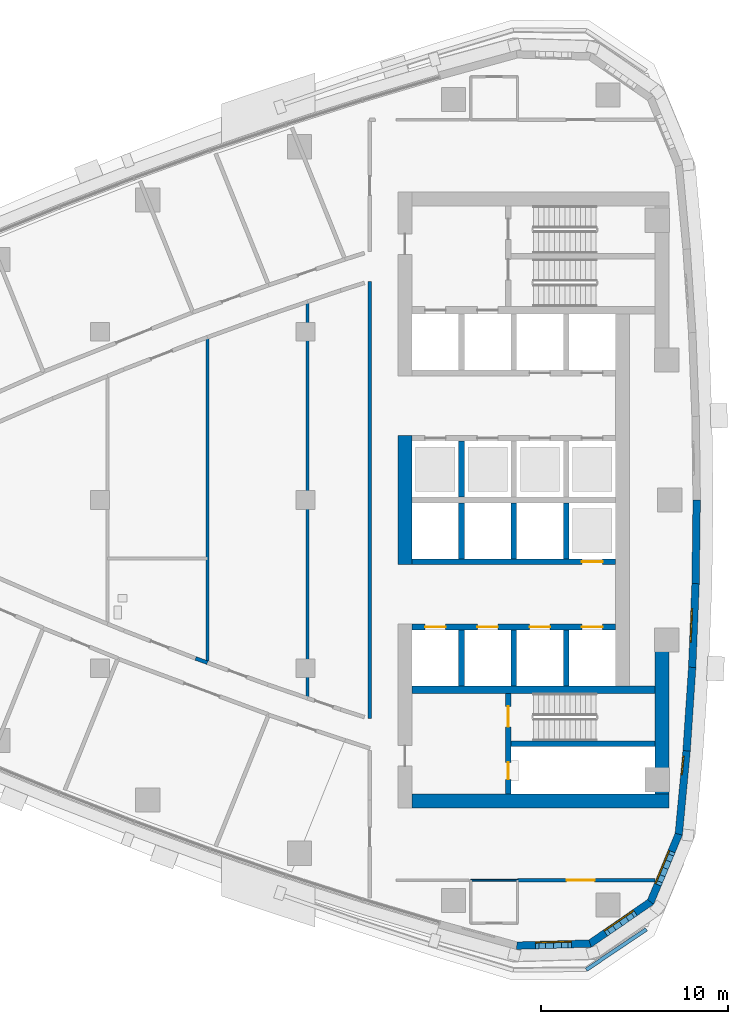
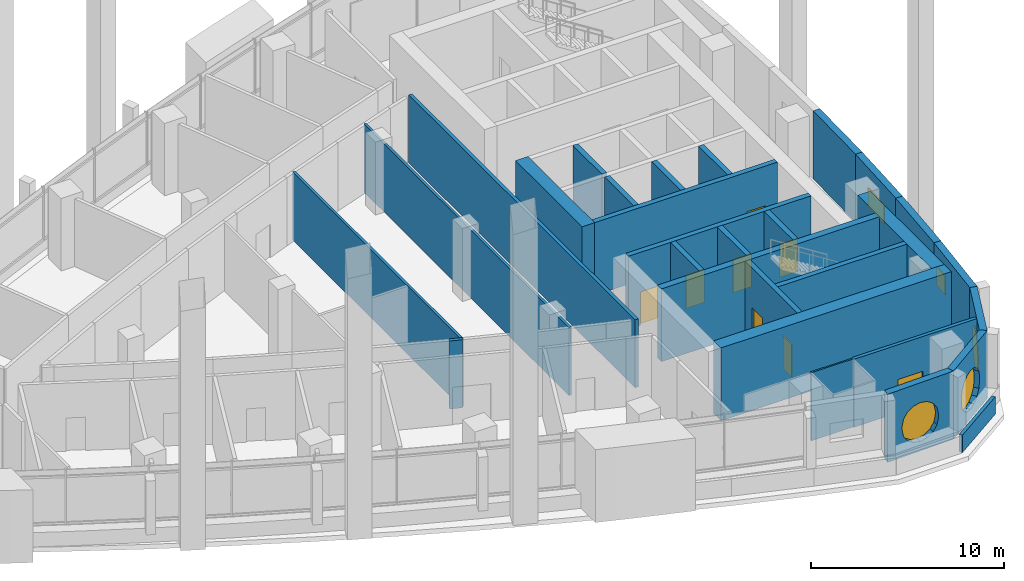
# One storey, part 9 of 19: 29 walls, 8 doors, 5 windows, 13 openings.
"""IFC4 building model written with IfcOpenShell, lengths in metres."""

import ifcopenshell
import ifcopenshell.guid

model = None  # the IFC model being written
_history = None  # IfcOwnerHistory: only IFC2X3 demands one
_inside = {}  # id of a spatial element -> (the spatial element, [elements in it])
_under = {}  # id of a project, library or spatial element -> (it, [spatial elements below it])
_declared = {}  # id of a project -> (the project, [libraries it declares])
_typed = {}  # id of a type object -> (the type object, [elements of that type])
_made_of = {}  # id of a material, layer set ... -> (it, [elements and type objects made of it])


def new_model(schema):
    """Start an empty IFC model of exactly this schema.

    Asked for "IFC4X3", IfcOpenShell would pick the latest addendum, in which some entities
    have other attributes; the version numbers below select the first issue.
    IFC2X3 requires an IfcOwnerHistory on every rooted entity: one is made here for all.
    """
    global model, _history
    if schema == "IFC4X3":
        model = ifcopenshell.file(schema_version=(4, 3, 0, 0))
    else:
        model = ifcopenshell.file(schema=schema)
    _inside.clear()
    _under.clear()
    _declared.clear()
    _typed.clear()
    _made_of.clear()
    _history = None
    if model.schema == "IFC2X3":
        org = make("IfcOrganization", Name="unknown")
        user = make(
            "IfcPersonAndOrganization",
            ThePerson=make("IfcPerson", FamilyName="unknown"),
            TheOrganization=org,
        )
        app = make(
            "IfcApplication",
            ApplicationDeveloper=org,
            Version="unknown",
            ApplicationFullName="unknown",
            ApplicationIdentifier="unknown",
        )
        _history = make(
            "IfcOwnerHistory",
            OwningUser=user,
            OwningApplication=app,
            ChangeAction="ADDED",
            CreationDate=0,
        )
    return model


def make(cls, **values):
    """One entity of the class cls with the attributes given. An attribute that is None is left unset."""
    return model.create_entity(
        cls, **{name: value for name, value in values.items() if value is not None}
    )


def rooted(cls, **values):
    """An entity with a GlobalId (a new one), such as an element, a storey or a relation."""
    return make(cls, GlobalId=ifcopenshell.guid.new(), OwnerHistory=_history, **values)


def si_unit(unit_type, name, prefix=None):
    """IfcSIUnit, for example si_unit("LENGTHUNIT", "METRE", prefix="MILLI")."""
    return make("IfcSIUnit", UnitType=unit_type, Prefix=prefix, Name=name)


def assignment(units):
    """IfcUnitAssignment: the units of a project."""
    return None if units is None else make("IfcUnitAssignment", Units=units)


def point(xyz):
    """IfcCartesianPoint."""
    return None if xyz is None else make("IfcCartesianPoint", Coordinates=xyz)


def direction(xyz):
    """IfcDirection."""
    return None if xyz is None else make("IfcDirection", DirectionRatios=xyz)


def frame(location, z_axis=None, x_axis=None):
    """IfcAxis2Placement3D, a coordinate frame: its origin and axes. An axis left out is left unset."""
    return make(
        "IfcAxis2Placement3D",
        Location=point(location),
        Axis=direction(z_axis),
        RefDirection=direction(x_axis),
    )


def frame_2d(location, x_axis=None):
    """IfcAxis2Placement2D, a coordinate frame in the plane: its origin and x axis."""
    return make(
        "IfcAxis2Placement2D", Location=point(location), RefDirection=direction(x_axis)
    )


def origin():
    """The frame at (0, 0, 0) with its axes left unset."""
    return frame((0.0, 0.0, 0.0))


def place(relative_to, where):
    """IfcLocalPlacement: puts the frame where relative to a parent placement (None: the world)."""
    return make(
        "IfcLocalPlacement", PlacementRelTo=relative_to, RelativePlacement=where
    )


def context(
    kind, dimensions, precision=None, world=None, true_north=None, identifier=None
):
    """IfcGeometricRepresentationContext, for example the 3D "Model" context."""
    return make(
        "IfcGeometricRepresentationContext",
        ContextIdentifier=identifier,
        ContextType=kind,
        CoordinateSpaceDimension=dimensions,
        Precision=precision,
        WorldCoordinateSystem=world,
        TrueNorth=true_north,
    )


def subcontext(parent, identifier, kind, view, scale=None):
    """IfcGeometricRepresentationSubContext, for example "Body" below "Model"."""
    return make(
        "IfcGeometricRepresentationSubContext",
        ContextIdentifier=identifier,
        ContextType=kind,
        ParentContext=parent,
        TargetScale=scale,
        TargetView=view,
    )


def project(units=None, contexts=None):
    """IfcProject with its units and contexts."""
    return rooted(
        "IfcProject",
        Name="project",
        RepresentationContexts=contexts,
        UnitsInContext=assignment(units),
    )


def spatial(cls, under=None, at=None, **own):
    """A site, building, storey or space (cls), placed at a placement, below another one or the project."""
    s = rooted(cls, ObjectPlacement=at, **own)
    if under is not None:
        _under.setdefault(under.id(), (under, []))[1].append(s)
    return s


def polyline(points):
    """IfcPolyline through the points."""
    return make("IfcPolyline", Points=[point(p) for p in points])


def profile(cls, at=None, kind="AREA", **sizes):
    """A parametric profile (cls). Its sizes go by their IFC names, for example OverallWidth=200.0."""
    return make(cls, ProfileType=kind, Position=at, **sizes)


def rectangle(**sizes):
    """IfcRectangleProfileDef."""
    return profile("IfcRectangleProfileDef", **sizes)


def outline(outer, holes=None, kind="AREA"):
    """IfcArbitraryClosedProfileDef: a profile drawn as a closed curve; with holes, ...WithVoids."""
    if holes is None:
        return make("IfcArbitraryClosedProfileDef", ProfileType=kind, OuterCurve=outer)
    return make(
        "IfcArbitraryProfileDefWithVoids",
        ProfileType=kind,
        OuterCurve=outer,
        InnerCurves=holes,
    )


def extrude(swept, where, along, depth):
    """IfcExtrudedAreaSolid: the profile swept, set in the frame where, extruded along a direction by depth."""
    return make(
        "IfcExtrudedAreaSolid",
        SweptArea=swept,
        Position=where,
        ExtrudedDirection=direction(along),
        Depth=depth,
    )


def shape(context_of_items, identifier, shape_type, items):
    """IfcShapeRepresentation: the items that make up one representation, for example the "Body"."""
    return make(
        "IfcShapeRepresentation",
        ContextOfItems=context_of_items,
        RepresentationIdentifier=identifier,
        RepresentationType=shape_type,
        Items=items,
    )


def material(Name=None, Category=None):
    """IfcMaterial."""
    return make("IfcMaterial", Name=Name, Category=Category)


def layer(
    of_material, thickness, ventilated=None, Name=None, Category=None, Priority=None
):
    """IfcMaterialLayer: one layer of a wall or slab, of a material (None: an air gap)."""
    return make(
        "IfcMaterialLayer",
        Material=of_material,
        LayerThickness=thickness,
        IsVentilated=ventilated,
        Name=Name,
        Category=Category,
        Priority=Priority,
    )


def layer_set(layers, Name=None):
    """IfcMaterialLayerSet."""
    return make("IfcMaterialLayerSet", MaterialLayers=layers, LayerSetName=Name)


def made_of(thing, what):
    """Note that an element or type object is made of a material, layer set ...; save() writes the relation."""
    if what is not None:
        _made_of.setdefault(what.id(), (what, []))[1].append(thing)
    return thing


def type_object(cls, material=None, **own):
    """A type object (cls), such as IfcWallType, which elements share."""
    return made_of(rooted(cls, **own), material)


def element(
    cls,
    number,
    at=None,
    inside=None,
    cuts=None,
    type_object=None,
    material=None,
    context=None,
    identifier="Body",
    shape_type=None,
    held_by="IfcProductDefinitionShape",
    body=None,
    shapes=None,
    **own,
):
    """One element of the class cls, such as IfcWall. Its Tag is "e" and its number.

    at: its placement. inside: the storey or other place that contains it. cuts: it is an
    opening in that element (IfcRelVoidsElement). A single representation is given by context,
    identifier, shape_type and body (its items); several are given by shapes. held_by: the class
    of the entity that holds the representations. save() writes the other relations.
    """
    e = rooted(cls, Tag="e%d" % number, ObjectPlacement=at, **own)
    if body is not None:
        shapes = [shape(context, identifier, shape_type, body)]
    if shapes is not None:
        e.Representation = make(held_by, Representations=shapes)
    if inside is not None:
        _inside.setdefault(inside.id(), (inside, []))[1].append(e)
    if cuts is not None:
        rooted(
            "IfcRelVoidsElement", RelatingBuildingElement=cuts, RelatedOpeningElement=e
        )
    if type_object is not None:
        _typed.setdefault(type_object.id(), (type_object, []))[1].append(e)
    return made_of(e, material)


def fill(opening, filler):
    """IfcRelFillsElement: the door or window that sits in an opening."""
    return rooted(
        "IfcRelFillsElement",
        RelatingOpeningElement=opening,
        RelatedBuildingElement=filler,
    )


def aggregate(whole, parts):
    """IfcRelAggregates: a whole, such as a stair, and the parts it consists of."""
    return rooted("IfcRelAggregates", RelatingObject=whole, RelatedObjects=parts)


def save(model, path):
    """Write the relations noted so far, then the file.

    IfcRelAggregates (storeys below a building ...), IfcRelContainedInSpatialStructure (elements
    in a storey), IfcRelDefinesByType, IfcRelAssociatesMaterial and IfcRelDeclares: one each for
    every whole, place, type object, material and project.
    """
    for whole, parts in _under.values():
        aggregate(whole, parts)
    for where, things in _inside.values():
        rooted(
            "IfcRelContainedInSpatialStructure",
            RelatedElements=things,
            RelatingStructure=where,
        )
    for kind, things in _typed.values():
        rooted("IfcRelDefinesByType", RelatedObjects=things, RelatingType=kind)
    for what, things in _made_of.values():
        rooted("IfcRelAssociatesMaterial", RelatedObjects=things, RelatingMaterial=what)
    for by, libraries in _declared.values():
        rooted("IfcRelDeclares", RelatingContext=by, RelatedDefinitions=libraries)
    model.write(path)


model = new_model("IFC4")

# Units and contexts
model_context = context("Model", 3, precision=1e-05, world=origin(), true_north=direction((0.0, 1.0)))
body_context = subcontext(model_context, "Body", "Model", "MODEL_VIEW")
ifc_project = project(units=[si_unit("LENGTHUNIT", "METRE"), si_unit("AREAUNIT", "SQUARE_METRE"), si_unit("VOLUMEUNIT", "CUBIC_METRE"), si_unit("PLANEANGLEUNIT", "RADIAN"), si_unit("MASSUNIT", "GRAM", prefix="KILO")], contexts=[model_context])

# Site, building, storey
site_placement = place(None, origin())
site = spatial("IfcSite", under=ifc_project, at=site_placement, CompositionType="ELEMENT")
building_placement = place(site_placement, origin())
building = spatial("IfcBuilding", under=site, at=building_placement, Name="Ostrand Prow Hotel Tower", CompositionType="ELEMENT")
storey_placement = place(building_placement, frame((0.0, 0.0, 170.89990234375)))
storey = spatial("IfcBuildingStorey", under=building, at=storey_placement, Name="L42", CompositionType="ELEMENT", Elevation=170.89990234375)

# Wall
ifc_material_1 = material(Name="Concrete C60/75", Category="concrete")
ifc_layer_1 = layer(ifc_material_1, 0.300048828125)
ifc_layer_set_1 = layer_set([ifc_layer_1], Name="Concrete C60/75")
wall_type_1 = type_object("IfcWallType", Name="Core wall 300 C60/75", PredefinedType="SHEAR", material=ifc_layer_set_1)
wall_1_placement = place(storey_placement, frame((53.35009765625, 0.14990234375, 0.0), z_axis=(0.0, 0.0, 1.0), x_axis=(0.0, 1.0, 0.0)))
element("IfcWall", 1, at=wall_1_placement, inside=storey, type_object=wall_type_1, Name="Core wall PW-R1-NB", PredefinedType="SHEAR", context=body_context, shape_type="SweptSolid", body=[
    extrude(rectangle(XDim=3.0, YDim=0.300048828125, at=frame_2d((1.5, 0.0))), origin(), (0.0, 0.0, 1.0), 4.60009765625),
])

# Wall, opening, door
wall_2_placement = place(storey_placement, frame((50.699951171875, -3.300048828125, 0.0), z_axis=(0.0, 0.0, 1.0), x_axis=(1.0, 0.0, 0.0)))
wall_2 = element("IfcWall", 2, at=wall_2_placement, inside=storey, type_object=wall_type_1, Name="Core wall PW-L1-S", PredefinedType="SHEAR", context=body_context, shape_type="SweptSolid", body=[
    extrude(rectangle(XDim=10.900146484375, YDim=0.300048828125, at=frame_2d((5.4501953125, 0.0))), origin(), (0.0, 0.0, 1.0), 4.60009765625),
])
opening_1_placement = place(wall_2_placement, frame((9.10009765625, 0.0, 0.0)))
opening_1 = element("IfcOpeningElement", 3, at=opening_1_placement, cuts=wall_2, Name="Opening LD", PredefinedType="OPENING", context=body_context, shape_type="SweptSolid", body=[
    extrude(rectangle(XDim=1.10009765625, YDim=2.10009765625, at=frame_2d((0.550048828125, 1.050048828125))), frame((0.0, 0.159912109375, 0.0), z_axis=(0.0, -1.0, 0.0), x_axis=(1.0, 0.0, 0.0)), (0.0, 0.0, 1.0), 0.320068359375),
])
ifc_material_2 = material(Name="Stainless steel door", Category="steel")
door_type_1 = type_object("IfcDoorType", Name="Lift landing door 1100", OperationType="DOUBLE_DOOR_SLIDING", PredefinedType="DOOR", material=ifc_material_2)
door_1_placement = place(opening_1_placement, origin())
door_1 = element("IfcDoor", 4, at=door_1_placement, inside=storey, type_object=door_type_1, Name="LIFT LANDING DOOR", OperationType="DOUBLE_DOOR_SLIDING", OverallHeight=2.10009765625, OverallWidth=1.10009765625, PredefinedType="DOOR", context=body_context, shape_type="SweptSolid", body=[
    extrude(rectangle(XDim=1.10009765625, YDim=2.10009765625, at=frame_2d((0.550048828125, 1.050048828125))), frame((0.0, 0.02490234375, 0.0), z_axis=(0.0, -1.0, 0.0), x_axis=(1.0, 0.0, 0.0)), (0.0, 0.0, 1.0), 0.050048828125),
])
fill(opening_1, door_1)

# Wall, openings, doors
wall_3_placement = place(storey_placement, frame((50.699951171875, -6.800048828125, 0.0), z_axis=(0.0, 0.0, 1.0), x_axis=(1.0, 0.0, 0.0)))
wall_3 = element("IfcWall", 5, at=wall_3_placement, inside=storey, type_object=wall_type_1, Name="Core wall PW-L2-S", PredefinedType="SHEAR", context=body_context, shape_type="SweptSolid", body=[
    extrude(rectangle(XDim=10.900146484375, YDim=0.300048828125, at=frame_2d((5.4501953125, 0.0))), origin(), (0.0, 0.0, 1.0), 4.60009765625),
])
opening_2_placement = place(wall_3_placement, frame((0.699951171875, 0.0, 0.0)))
opening_2 = element("IfcOpeningElement", 6, at=opening_2_placement, cuts=wall_3, Name="Opening LD", PredefinedType="OPENING", context=body_context, shape_type="SweptSolid", body=[
    extrude(rectangle(XDim=1.10009765625, YDim=2.10009765625, at=frame_2d((0.550048828125, 1.050048828125))), frame((0.0, 0.159912109375, 0.0), z_axis=(0.0, -1.0, 0.0), x_axis=(1.0, 0.0, 0.0)), (0.0, 0.0, 1.0), 0.320068359375),
])
opening_3_placement = place(wall_3_placement, frame((3.5, 0.0, 0.0)))
opening_3 = element("IfcOpeningElement", 7, at=opening_3_placement, cuts=wall_3, Name="Opening LD", PredefinedType="OPENING", context=body_context, shape_type="SweptSolid", body=[
    extrude(rectangle(XDim=1.10009765625, YDim=2.10009765625, at=frame_2d((0.550048828125, 1.050048828125))), frame((0.0, 0.159912109375, 0.0), z_axis=(0.0, -1.0, 0.0), x_axis=(1.0, 0.0, 0.0)), (0.0, 0.0, 1.0), 0.320068359375),
])
opening_4_placement = place(wall_3_placement, frame((6.300048828125, 0.0, 0.0)))
opening_4 = element("IfcOpeningElement", 8, at=opening_4_placement, cuts=wall_3, Name="Opening LD", PredefinedType="OPENING", context=body_context, shape_type="SweptSolid", body=[
    extrude(rectangle(XDim=1.10009765625, YDim=2.10009765625, at=frame_2d((0.550048828125, 1.050048828125))), frame((0.0, 0.159912109375, 0.0), z_axis=(0.0, -1.0, 0.0), x_axis=(1.0, 0.0, 0.0)), (0.0, 0.0, 1.0), 0.320068359375),
])
opening_5_placement = place(wall_3_placement, frame((9.10009765625, 0.0, 0.0)))
opening_5 = element("IfcOpeningElement", 9, at=opening_5_placement, cuts=wall_3, Name="Opening LD", PredefinedType="OPENING", context=body_context, shape_type="SweptSolid", body=[
    extrude(rectangle(XDim=1.10009765625, YDim=2.10009765625, at=frame_2d((0.550048828125, 1.050048828125))), frame((0.0, 0.159912109375, 0.0), z_axis=(0.0, -1.0, 0.0), x_axis=(1.0, 0.0, 0.0)), (0.0, 0.0, 1.0), 0.320068359375),
])
door_2_placement = place(opening_2_placement, origin())
door_2 = element("IfcDoor", 10, at=door_2_placement, inside=storey, type_object=door_type_1, Name="LIFT LANDING DOOR", OperationType="DOUBLE_DOOR_SLIDING", OverallHeight=2.10009765625, OverallWidth=1.10009765625, PredefinedType="DOOR", context=body_context, shape_type="SweptSolid", body=[
    extrude(rectangle(XDim=1.10009765625, YDim=2.10009765625, at=frame_2d((0.550048828125, 1.050048828125))), frame((0.0, 0.02490234375, 0.0), z_axis=(0.0, -1.0, 0.0), x_axis=(1.0, 0.0, 0.0)), (0.0, 0.0, 1.0), 0.050048828125),
])
fill(opening_2, door_2)
door_3_placement = place(opening_3_placement, origin())
door_3 = element("IfcDoor", 11, at=door_3_placement, inside=storey, type_object=door_type_1, Name="LIFT LANDING DOOR", OperationType="DOUBLE_DOOR_SLIDING", OverallHeight=2.10009765625, OverallWidth=1.10009765625, PredefinedType="DOOR", context=body_context, shape_type="SweptSolid", body=[
    extrude(rectangle(XDim=1.10009765625, YDim=2.10009765625, at=frame_2d((0.550048828125, 1.050048828125))), frame((0.0, 0.02490234375, 0.0), z_axis=(0.0, -1.0, 0.0), x_axis=(1.0, 0.0, 0.0)), (0.0, 0.0, 1.0), 0.050048828125),
])
fill(opening_3, door_3)
door_4_placement = place(opening_4_placement, origin())
door_4 = element("IfcDoor", 12, at=door_4_placement, inside=storey, type_object=door_type_1, Name="LIFT LANDING DOOR", OperationType="DOUBLE_DOOR_SLIDING", OverallHeight=2.10009765625, OverallWidth=1.10009765625, PredefinedType="DOOR", context=body_context, shape_type="SweptSolid", body=[
    extrude(rectangle(XDim=1.10009765625, YDim=2.10009765625, at=frame_2d((0.550048828125, 1.050048828125))), frame((0.0, 0.02490234375, 0.0), z_axis=(0.0, -1.0, 0.0), x_axis=(1.0, 0.0, 0.0)), (0.0, 0.0, 1.0), 0.050048828125),
])
fill(opening_4, door_4)
door_5_placement = place(opening_5_placement, origin())
door_5 = element("IfcDoor", 13, at=door_5_placement, inside=storey, type_object=door_type_1, Name="LIFT LANDING DOOR", OperationType="DOUBLE_DOOR_SLIDING", OverallHeight=2.10009765625, OverallWidth=1.10009765625, PredefinedType="DOOR", context=body_context, shape_type="SweptSolid", body=[
    extrude(rectangle(XDim=1.10009765625, YDim=2.10009765625, at=frame_2d((0.550048828125, 1.050048828125))), frame((0.0, 0.02490234375, 0.0), z_axis=(0.0, -1.0, 0.0), x_axis=(1.0, 0.0, 0.0)), (0.0, 0.0, 1.0), 0.050048828125),
])
fill(opening_5, door_5)

# Walls
for number, where, z_axis, x_axis, name in (
    (14, (53.35009765625, -3.14990234375, 0.0), (0.0, 0.0, 1.0), (0.0, 1.0, 0.0), "Core wall PW-R1-SB"),
    (15, (53.35009765625, -9.949951171875, 0.0), (0.0, 0.0, 1.0), (0.0, 1.0, 0.0), "Core wall PW-R1-SA"),
    (16, (56.14990234375, -3.14990234375, 0.0), (0.0, 0.0, 1.0), (0.0, 1.0, 0.0), "Core wall PW-R2-SB"),
    (17, (56.14990234375, -9.949951171875, 0.0), (0.0, 0.0, 1.0), (0.0, 1.0, 0.0), "Core wall PW-R2-SA"),
    (18, (58.949951171875, -3.14990234375, 0.0), (0.0, 0.0, 1.0), (0.0, 1.0, 0.0), "Core wall PW-R3-SB"),
    (19, (58.949951171875, -9.949951171875, 0.0), (0.0, 0.0, 1.0), (0.0, 1.0, 0.0), "Core wall PW-R3-SA"),
):
    element("IfcWall", number, at=place(storey_placement, frame(where, z_axis=z_axis, x_axis=x_axis)), inside=storey, type_object=wall_type_1, Name=name, PredefinedType="SHEAR", context=body_context, shape_type="SweptSolid", body=[
        extrude(rectangle(XDim=3.0, YDim=0.300048828125, at=frame_2d((1.5, 0.0))), origin(), (0.0, 0.0, 1.0), 4.60009765625),
    ])

# Wall, openings, doors
wall_4_placement = place(storey_placement, frame((55.85009765625, -15.75, 0.0), z_axis=(0.0, 0.0, 1.0), x_axis=(0.0, 1.0, 0.0)))
wall_4 = element("IfcWall", 20, at=wall_4_placement, inside=storey, type_object=wall_type_1, Name="Core wall PW-VS", PredefinedType="SHEAR", context=body_context, shape_type="SweptSolid", body=[
    extrude(rectangle(XDim=5.39990234375, YDim=0.300048828125, at=frame_2d((2.699951171875, 0.0))), origin(), (0.0, 0.0, 1.0), 4.60009765625),
])
opening_6_placement = place(wall_4_placement, frame((3.60009765625, 0.0, 0.0)))
opening_6 = element("IfcOpeningElement", 21, at=opening_6_placement, cuts=wall_4, Name="Opening FD1", PredefinedType="OPENING", context=body_context, shape_type="SweptSolid", body=[
    extrude(rectangle(XDim=1.10009765625, YDim=2.10009765625, at=frame_2d((0.550048828125, 1.050048828125))), frame((0.0, 0.159912109375, 0.0), z_axis=(0.0, -1.0, 0.0), x_axis=(1.0, 0.0, 0.0)), (0.0, 0.0, 1.0), 0.320068359375),
])
opening_7_placement = place(wall_4_placement, frame((0.800048828125, 0.0, 0.0)))
opening_7 = element("IfcOpeningElement", 22, at=opening_7_placement, cuts=wall_4, Name="Opening FD2", PredefinedType="OPENING", context=body_context, shape_type="SweptSolid", body=[
    extrude(rectangle(XDim=0.89990234375, YDim=2.10009765625, at=frame_2d((0.449951171875, 1.050048828125))), frame((0.0, 0.159912109375, 0.0), z_axis=(0.0, -1.0, 0.0), x_axis=(1.0, 0.0, 0.0)), (0.0, 0.0, 1.0), 0.320068359375),
])
ifc_material_3 = material(Name="Steel fire door", Category="steel")
door_type_2 = type_object("IfcDoorType", Name="Fire door 1100 EI120", OperationType="SINGLE_SWING_RIGHT", PredefinedType="DOOR", material=ifc_material_3)
door_6_placement = place(opening_6_placement, origin())
door_6 = element("IfcDoor", 23, at=door_6_placement, inside=storey, type_object=door_type_2, Name="FIRE DOOR", OperationType="SINGLE_SWING_RIGHT", OverallHeight=2.10009765625, OverallWidth=1.10009765625, PredefinedType="DOOR", context=body_context, shape_type="SweptSolid", body=[
    extrude(rectangle(XDim=1.10009765625, YDim=2.10009765625, at=frame_2d((0.550048828125, 1.050048828125))), frame((0.0, 0.02490234375, 0.0), z_axis=(0.0, -1.0, 0.0), x_axis=(1.0, 0.0, 0.0)), (0.0, 0.0, 1.0), 0.050048828125),
])
fill(opening_6, door_6)
ifc_material_4 = material(Name="Steel fire door", Category="steel")
door_type_3 = type_object("IfcDoorType", Name="Fire door 900 EI120", OperationType="SINGLE_SWING_LEFT", PredefinedType="DOOR", material=ifc_material_4)
door_7_placement = place(opening_7_placement, origin())
door_7 = element("IfcDoor", 24, at=door_7_placement, inside=storey, type_object=door_type_3, Name="FIRE DOOR", OperationType="SINGLE_SWING_LEFT", OverallHeight=2.10009765625, OverallWidth=0.89990234375, PredefinedType="DOOR", context=body_context, shape_type="SweptSolid", body=[
    extrude(rectangle(XDim=0.89990234375, YDim=2.10009765625, at=frame_2d((0.449951171875, 1.050048828125))), frame((0.0, 0.02490234375, 0.0), z_axis=(0.0, -1.0, 0.0), x_axis=(1.0, 0.0, 0.0)), (0.0, 0.0, 1.0), 0.050048828125),
])
fill(opening_7, door_7)

# Walls
wall_5_placement = place(storey_placement, frame((56.0, -13.050048828125, 0.0), z_axis=(0.0, 0.0, 1.0), x_axis=(1.0, 0.0, 0.0)))
element("IfcWall", 25, at=wall_5_placement, inside=storey, type_object=wall_type_1, Name="Core wall PW-ST2R", PredefinedType="SHEAR", context=body_context, shape_type="SweptSolid", body=[
    extrude(rectangle(XDim=7.719970703125, YDim=0.300048828125, at=frame_2d((3.85986328125, 0.0))), origin(), (0.0, 0.0, 1.0), 4.60009765625),
])
ifc_material_5 = material(Name="Concrete C60/75", Category="concrete")
ifc_layer_2 = layer(ifc_material_5, 0.39990234375)
ifc_layer_set_2 = layer_set([ifc_layer_2], Name="Concrete C60/75")
wall_type_2 = type_object("IfcWallType", Name="Core wall 400 C60/75", PredefinedType="SHEAR", material=ifc_layer_set_2)
wall_6_placement = place(storey_placement, frame((50.699951171875, -10.14990234375, 0.0), z_axis=(0.0, 0.0, 1.0), x_axis=(1.0, 0.0, 0.0)))
element("IfcWall", 26, at=wall_6_placement, inside=storey, type_object=wall_type_2, Name="Core wall PW-BS", PredefinedType="SHEAR", context=body_context, shape_type="SweptSolid", body=[
    extrude(rectangle(XDim=13.02001953125, YDim=0.39990234375, at=frame_2d((6.510009765625, 0.0))), origin(), (0.0, 0.0, 1.0), 4.60009765625),
])
ifc_material_6 = material(Name="Concrete C60/75", Category="concrete")
ifc_layer_3 = layer(ifc_material_6, 0.75)
ifc_layer_set_3 = layer_set([ifc_layer_3], Name="Concrete C60/75")
wall_type_3 = type_object("IfcWallType", Name="Core wall 750 C60/75", PredefinedType="SHEAR", material=ifc_layer_set_3)
wall_7_placement = place(storey_placement, frame((50.324951171875, -3.449951171875, 0.0), z_axis=(0.0, 0.0, 1.0), x_axis=(0.0, 1.0, 0.0)))
element("IfcWall", 27, at=wall_7_placement, inside=storey, type_object=wall_type_3, Name="Core wall CW-W-C", PredefinedType="SHEAR", context=body_context, shape_type="SweptSolid", body=[
    extrude(rectangle(XDim=6.89990234375, YDim=0.75, at=frame_2d((3.449951171875, 0.0))), origin(), (0.0, 0.0, 1.0), 4.60009765625),
])
wall_8_placement = place(storey_placement, frame((50.699951171875, -16.125, 0.0), z_axis=(0.0, 0.0, 1.0), x_axis=(1.0, 0.0, 0.0)))
element("IfcWall", 28, at=wall_8_placement, inside=storey, type_object=wall_type_3, Name="Core wall CW-S", PredefinedType="SHEAR", context=body_context, shape_type="SweptSolid", body=[
    extrude(rectangle(XDim=13.77001953125, YDim=0.75, at=frame_2d((6.885009765625, 0.0))), origin(), (0.0, 0.0, 1.0), 4.60009765625),
])
wall_9_placement = place(storey_placement, frame((64.094970703125, -15.75, 0.0), z_axis=(0.0, 0.0, 1.0), x_axis=(0.0, 1.0, 0.0)))
element("IfcWall", 29, at=wall_9_placement, inside=storey, type_object=wall_type_3, Name="Core wall CW-E-S", PredefinedType="SHEAR", context=body_context, shape_type="SweptSolid", body=[
    extrude(rectangle(XDim=7.65087890625, YDim=0.75, at=frame_2d((3.825439453125, 0.0))), origin(), (0.0, 0.0, 1.0), 4.60009765625),
])
ifc_material_7 = material(Name="Plasterboard partition")
ifc_layer_4 = layer(ifc_material_7, 0.10009765625)
ifc_layer_set_4 = layer_set([ifc_layer_4], Name="Plasterboard partition")
wall_type_4 = type_object("IfcWallType", Name="Partition 100 bathroom wall", PredefinedType="PARTITIONING", material=ifc_layer_set_4)
wall_10_placement = place(storey_placement, frame((53.85009765625, -20.35498046875, 0.0), z_axis=(0.0, 0.0, 1.0), x_axis=(1.0, 0.0, 0.0)))
element("IfcWall", 30, at=wall_10_placement, inside=storey, type_object=wall_type_4, Name="BATHROOM WALL", PredefinedType="PARTITIONING", context=body_context, shape_type="SweptSolid", body=[
    extrude(rectangle(XDim=2.5, YDim=0.10009765625, at=frame_2d((1.25, 0.0))), origin(), (0.0, 0.0, 1.0), 4.300048828125),
])
ifc_material_8 = material(Name="Plasterboard partition")
ifc_layer_5 = layer(ifc_material_8, 0.14990234375)
ifc_layer_set_5 = layer_set([ifc_layer_5], Name="Plasterboard partition")
wall_type_5 = type_object("IfcWallType", Name="Partition 150 room partition", PredefinedType="PARTITIONING", material=ifc_layer_set_5)
wall_11_placement = place(storey_placement, frame((39.748291015625, -8.709716796875, 0.0), z_axis=(0.0, 0.0, 1.0), x_axis=(0.0, 1.0, 0.0)))
element("IfcWall", 31, at=wall_11_placement, inside=storey, type_object=wall_type_5, Name="ROOM PARTITION", PredefinedType="PARTITIONING", context=body_context, shape_type="SweptSolid", body=[
    extrude(rectangle(XDim=17.41943359375, YDim=0.14990234375, at=frame_2d((8.709716796875, 0.0))), origin(), (0.0, 0.0, 1.0), 4.300048828125),
])
wall_12_placement = place(storey_placement, frame((45.103271484375, -10.610107421875, 0.0), z_axis=(0.0, 0.0, 1.0), x_axis=(0.0, 1.0, 0.0)))
element("IfcWall", 32, at=wall_12_placement, inside=storey, type_object=wall_type_5, Name="ROOM PARTITION", PredefinedType="PARTITIONING", context=body_context, shape_type="SweptSolid", body=[
    extrude(rectangle(XDim=21.22021484375, YDim=0.14990234375, at=frame_2d((10.610107421875, 0.0))), origin(), (0.0, 0.0, 1.0), 4.300048828125),
])
ifc_material_9 = material(Name="Plasterboard partition")
ifc_layer_6 = layer(ifc_material_9, 0.199951171875)
ifc_layer_set_6 = layer_set([ifc_layer_6], Name="Plasterboard partition")
wall_type_6 = type_object("IfcWallType", Name="Partition 200 corridor wall", PredefinedType="PARTITIONING", material=ifc_layer_set_6)
wall_13_placement = place(storey_placement, frame((39.748291015625, -8.709716796875, 0.0), z_axis=(0.0, 0.0, 1.0), x_axis=(-0.939740484597, 0.341888609944, 0.0)))
element("IfcWall", 33, at=wall_13_placement, inside=storey, type_object=wall_type_6, Name="CORRIDOR WALL", PredefinedType="PARTITIONING", context=body_context, shape_type="SweptSolid", body=[
    extrude(rectangle(XDim=0.67333984375, YDim=0.199951171875, at=frame_2d((0.336669921875, 0.0))), origin(), (0.0, 0.0, 1.0), 4.300048828125),
])

# Wall, opening, door
wall_14_placement = place(storey_placement, frame((56.35498046875, -20.35498046875, 0.0), z_axis=(0.0, 0.0, 1.0), x_axis=(1.0, 0.0, 0.0)))
wall_14 = element("IfcWall", 34, at=wall_14_placement, inside=storey, type_object=wall_type_6, Name="CORRIDOR WALL", PredefinedType="PARTITIONING", context=body_context, shape_type="SweptSolid", body=[
    extrude(rectangle(XDim=7.3544921875, YDim=0.199951171875, at=frame_2d((3.67724609375, 0.0))), origin(), (0.0, 0.0, 1.0), 4.300048828125),
])
opening_8_placement = place(wall_14_placement, frame((2.623779296875, 0.0, 0.0)))
opening_8 = element("IfcOpeningElement", 35, at=opening_8_placement, cuts=wall_14, Name="Opening D15", PredefinedType="OPENING", context=body_context, shape_type="SweptSolid", body=[
    extrude(rectangle(XDim=1.5, YDim=2.10009765625, at=frame_2d((0.75, 1.050048828125))), frame((0.0, 0.10986328125, 0.0), z_axis=(0.0, -1.0, 0.0), x_axis=(1.0, 0.0, 0.0)), (0.0, 0.0, 1.0), 0.219970703125),
])
ifc_material_10 = material(Name="Timber door leaf", Category="wood")
door_type_4 = type_object("IfcDoorType", Name="Double door 1500", OperationType="DOUBLE_DOOR_SINGLE_SWING", PredefinedType="DOOR", material=ifc_material_10)
door_8_placement = place(opening_8_placement, origin())
door_8 = element("IfcDoor", 36, at=door_8_placement, inside=storey, type_object=door_type_4, Name="DOOR", OperationType="DOUBLE_DOOR_SINGLE_SWING", OverallHeight=2.10009765625, OverallWidth=1.5, PredefinedType="DOOR", context=body_context, shape_type="SweptSolid", body=[
    extrude(rectangle(XDim=1.5, YDim=2.10009765625, at=frame_2d((0.75, 1.050048828125))), frame((0.0, 0.02490234375, 0.0), z_axis=(0.0, -1.0, 0.0), x_axis=(1.0, 0.0, 0.0)), (0.0, 0.0, 1.0), 0.050048828125),
])
fill(opening_8, door_8)

# Walls
wall_15_placement = place(storey_placement, frame((48.445068359375, 11.7099609375, 0.0), z_axis=(0.0, 0.0, 1.0), x_axis=(0.0, -1.0, 0.0)))
element("IfcWall", 37, at=wall_15_placement, inside=storey, type_object=wall_type_6, Name="CORRIDOR WALL", PredefinedType="PARTITIONING", context=body_context, shape_type="SweptSolid", body=[
    extrude(rectangle(XDim=23.419921875, YDim=0.199951171875, at=frame_2d((11.7099609375, 0.0))), origin(), (0.0, 0.0, 1.0), 4.300048828125),
])
ifc_material_11 = material(Name="Precast concrete C40/50", Category="concrete")
ifc_layer_7 = layer(ifc_material_11, 0.199951171875)
ifc_layer_set_7 = layer_set([ifc_layer_7], Name="Precast concrete C40/50")
wall_type_7 = type_object("IfcWallType", Name="Roof parapet 200 mm precast concrete", PredefinedType="PARAPET", material=ifc_layer_set_7)
wall_16_placement = place(storey_placement, frame((60.03271484375, -25.145263671875, 0.0), z_axis=(0.0, 0.0, 1.0), x_axis=(0.829636063103, 0.55830457888, 0.0)))
element("IfcWall", 38, at=wall_16_placement, inside=storey, type_object=wall_type_7, Name="Roof parapet LPR0 2.11", PredefinedType="PARAPET", context=body_context, shape_type="SweptSolid", body=[
    extrude(rectangle(XDim=3.870849609375, YDim=0.199951171875, at=frame_2d((1.935546875, 0.0))), origin(), (0.0, 0.0, 1.0), 1.10009765625),
])

# Wall, opening, window
ifc_material_12 = material(Name="Precast concrete C40/50", Category="concrete")
ifc_layer_8 = layer(ifc_material_12, 0.39990234375)
ifc_layer_set_8 = layer_set([ifc_layer_8], Name="Precast concrete C40/50")
wall_type_8 = type_object("IfcWallType", Name="Stone-faced precast wall 400 mm", PredefinedType="NOTDEFINED", material=ifc_layer_set_8)
wall_17_placement = place(storey_placement, frame((56.307861328125, -23.85791015625, 0.0), z_axis=(0.0, 0.0, 1.0), x_axis=(0.999587920197, 0.028705222472, 0.0)))
wall_17 = element("IfcWall", 39, at=wall_17_placement, inside=storey, type_object=wall_type_8, Name="Stone-faced wall back 2", PredefinedType="NOTDEFINED", context=body_context, shape_type="SweptSolid", body=[
    extrude(outline(polyline([(-0.02978515625, -0.199951171875), (3.988525390625, -0.199951171875), (3.870361328125, 0.199951171875), (0.02978515625, 0.199951171875), (-0.02978515625, -0.199951171875)])), origin(), (0.0, 0.0, 1.0), 4.300048828125),
])
opening_9_placement = place(wall_17_placement, frame((0.864501953125, 0.0, 0.60009765625)))
opening_9 = element("IfcOpeningElement", 40, at=opening_9_placement, cuts=wall_17, Name="Opening WP2", PredefinedType="OPENING", context=body_context, shape_type="SweptSolid", body=[
    extrude(outline(polyline([(0.0, 1.35009765625), (0.083740234375, 1.77099609375), (0.322265625, 2.127685546875), (0.678955078125, 2.3662109375), (1.10009765625, 2.449951171875), (1.52099609375, 2.3662109375), (1.877685546875, 2.127685546875), (2.1162109375, 1.77099609375), (2.199951171875, 1.35009765625), (2.199951171875, 1.10009765625), (2.1162109375, 0.678955078125), (1.877685546875, 0.322265625), (1.52099609375, 0.083740234375), (1.10009765625, 0.0), (0.678955078125, 0.083740234375), (0.322265625, 0.322265625), (0.083740234375, 0.678955078125), (0.0, 1.099853515625), (0.0, 1.35009765625)])), frame((0.0, 0.2099609375, 0.0), z_axis=(0.0, -1.0, 0.0), x_axis=(1.0, 0.0, 0.0)), (0.0, 0.0, 1.0), 0.419921875),
])
ifc_material_13 = material(Name="Insulated glass in bronze frame", Category="glass")
window_type_1 = type_object("IfcWindowType", Name="Round-ended prow lounge window 2200x2450", PartitioningType="SINGLE_PANEL", PredefinedType="WINDOW", material=ifc_material_13)
window_1_placement = place(opening_9_placement, origin())
window_1 = element("IfcWindow", 41, at=window_1_placement, inside=storey, type_object=window_type_1, Name="Window back 2.1", OverallHeight=2.449951171875, OverallWidth=2.199951171875, PartitioningType="SINGLE_PANEL", PredefinedType="WINDOW", context=body_context, shape_type="SweptSolid", body=[
    extrude(outline(polyline([(0.0, 1.35009765625), (0.083740234375, 1.77099609375), (0.322265625, 2.127685546875), (0.678955078125, 2.3662109375), (1.10009765625, 2.449951171875), (1.52099609375, 2.3662109375), (1.877685546875, 2.127685546875), (2.1162109375, 1.77099609375), (2.199951171875, 1.35009765625), (2.199951171875, 1.10009765625), (2.1162109375, 0.678955078125), (1.877685546875, 0.322265625), (1.52099609375, 0.083740234375), (1.10009765625, 0.0), (0.678955078125, 0.083740234375), (0.322265625, 0.322265625), (0.083740234375, 0.678955078125), (0.0, 1.099853515625), (0.0, 1.35009765625)])), frame((0.0, 0.169921875, 0.0), z_axis=(0.0, -1.0, 0.0), x_axis=(1.0, 0.0, 0.0)), (0.0, 0.0, 1.0), 0.06005859375),
])
fill(opening_9, window_1)

wall_18_placement = place(storey_placement, frame((60.235595703125, -23.7451171875, 0.0), z_axis=(0.0, 0.0, 1.0), x_axis=(0.823806162588, 0.566871596115, 0.0)))
wall_18 = element("IfcWall", 42, at=wall_18_placement, inside=storey, type_object=wall_type_8, Name="Stone-faced wall back 3", PredefinedType="NOTDEFINED", context=body_context, shape_type="SweptSolid", body=[
    extrude(outline(polyline([(-0.05908203125, -0.199951171875), (3.98828125, -0.199951171875), (3.8701171875, 0.199951171875), (0.05908203125, 0.199951171875), (-0.05908203125, -0.199951171875)])), origin(), (0.0, 0.0, 1.0), 4.300048828125),
])
opening_10_placement = place(wall_18_placement, frame((0.864501953125, 0.0, 0.60009765625)))
opening_10 = element("IfcOpeningElement", 43, at=opening_10_placement, cuts=wall_18, Name="Opening WP2", PredefinedType="OPENING", context=body_context, shape_type="SweptSolid", body=[
    extrude(outline(polyline([(0.0, 1.35009765625), (0.083740234375, 1.77099609375), (0.322265625, 2.127685546875), (0.678955078125, 2.3662109375), (1.10009765625, 2.449951171875), (1.52099609375, 2.3662109375), (1.877685546875, 2.127685546875), (2.1162109375, 1.77099609375), (2.199951171875, 1.35009765625), (2.199951171875, 1.10009765625), (2.1162109375, 0.678955078125), (1.877685546875, 0.322265625), (1.52099609375, 0.083740234375), (1.10009765625, 0.0), (0.678955078125, 0.083740234375), (0.322265625, 0.322265625), (0.083740234375, 0.678955078125), (0.0, 1.099853515625), (0.0, 1.35009765625)])), frame((0.0, 0.2099609375, 0.0), z_axis=(0.0, -1.0, 0.0), x_axis=(1.0, 0.0, 0.0)), (0.0, 0.0, 1.0), 0.419921875),
])
window_2_placement = place(opening_10_placement, origin())
window_2 = element("IfcWindow", 44, at=window_2_placement, inside=storey, type_object=window_type_1, Name="Window back 3.1", OverallHeight=2.449951171875, OverallWidth=2.199951171875, PartitioningType="SINGLE_PANEL", PredefinedType="WINDOW", context=body_context, shape_type="SweptSolid", body=[
    extrude(outline(polyline([(0.0, 1.35009765625), (0.083740234375, 1.77099609375), (0.322265625, 2.127685546875), (0.678955078125, 2.3662109375), (1.10009765625, 2.449951171875), (1.52099609375, 2.3662109375), (1.877685546875, 2.127685546875), (2.1162109375, 1.77099609375), (2.199951171875, 1.35009765625), (2.199951171875, 1.10009765625), (2.1162109375, 0.678955078125), (1.877685546875, 0.322265625), (1.52099609375, 0.083740234375), (1.10009765625, 0.0), (0.678955078125, 0.083740234375), (0.322265625, 0.322265625), (0.083740234375, 0.678955078125), (0.0, 1.099853515625), (0.0, 1.35009765625)])), frame((0.0, 0.169921875, 0.0), z_axis=(0.0, -1.0, 0.0), x_axis=(1.0, 0.0, 0.0)), (0.0, 0.0, 1.0), 0.06005859375),
])
fill(opening_10, window_2)

wall_19_placement = place(storey_placement, frame((63.472412109375, -21.517822265625, 0.0), z_axis=(0.0, 0.0, 1.0), x_axis=(0.383997619794, 0.923334082547, 0.0)))
wall_19 = element("IfcWall", 45, at=wall_19_placement, inside=storey, type_object=wall_type_8, Name="Stone-faced wall back 4", PredefinedType="NOTDEFINED", context=body_context, shape_type="SweptSolid", body=[
    extrude(outline(polyline([(-0.05908203125, -0.199951171875), (3.95947265625, -0.199951171875), (3.89892578125, 0.199951171875), (0.05908203125, 0.199951171875), (-0.05908203125, -0.199951171875)])), origin(), (0.0, 0.0, 1.0), 4.300048828125),
])
opening_11_placement = place(wall_19_placement, frame((0.864501953125, 0.0, 0.60009765625)))
opening_11 = element("IfcOpeningElement", 46, at=opening_11_placement, cuts=wall_19, Name="Opening WP2", PredefinedType="OPENING", context=body_context, shape_type="SweptSolid", body=[
    extrude(outline(polyline([(0.0, 1.35009765625), (0.083740234375, 1.77099609375), (0.322265625, 2.127685546875), (0.678955078125, 2.3662109375), (1.10009765625, 2.449951171875), (1.52099609375, 2.3662109375), (1.877685546875, 2.127685546875), (2.1162109375, 1.77099609375), (2.199951171875, 1.35009765625), (2.199951171875, 1.10009765625), (2.1162109375, 0.678955078125), (1.877685546875, 0.322265625), (1.52099609375, 0.083740234375), (1.10009765625, 0.0), (0.678955078125, 0.083740234375), (0.322265625, 0.322265625), (0.083740234375, 0.678955078125), (0.0, 1.099853515625), (0.0, 1.35009765625)])), frame((0.0, 0.2099609375, 0.0), z_axis=(0.0, -1.0, 0.0), x_axis=(1.0, 0.0, 0.0)), (0.0, 0.0, 1.0), 0.419921875),
])
window_3_placement = place(opening_11_placement, origin())
window_3 = element("IfcWindow", 47, at=window_3_placement, inside=storey, type_object=window_type_1, Name="Window back 4.1", OverallHeight=2.449951171875, OverallWidth=2.199951171875, PartitioningType="SINGLE_PANEL", PredefinedType="WINDOW", context=body_context, shape_type="SweptSolid", body=[
    extrude(outline(polyline([(0.0, 1.35009765625), (0.083740234375, 1.77099609375), (0.322265625, 2.127685546875), (0.678955078125, 2.3662109375), (1.10009765625, 2.449951171875), (1.52099609375, 2.3662109375), (1.877685546875, 2.127685546875), (2.1162109375, 1.77099609375), (2.199951171875, 1.35009765625), (2.199951171875, 1.10009765625), (2.1162109375, 0.678955078125), (1.877685546875, 0.322265625), (1.52099609375, 0.083740234375), (1.10009765625, 0.0), (0.678955078125, 0.083740234375), (0.322265625, 0.322265625), (0.083740234375, 0.678955078125), (0.0, 1.099853515625), (0.0, 1.35009765625)])), frame((0.0, 0.169921875, 0.0), z_axis=(0.0, -1.0, 0.0), x_axis=(1.0, 0.0, 0.0)), (0.0, 0.0, 1.0), 0.06005859375),
])
fill(opening_11, window_3)

wall_20_placement = place(storey_placement, frame((64.981201171875, -17.889892578125, 0.0), z_axis=(0.0, 0.0, 1.0), x_axis=(0.093605694738, 0.995609348044, 0.0)))
wall_20 = element("IfcWall", 48, at=wall_20_placement, inside=storey, type_object=wall_type_8, Name="Stone-faced wall back 5", PredefinedType="NOTDEFINED", context=body_context, shape_type="SweptSolid", body=[
    extrude(outline(polyline([(-0.0302734375, -0.199951171875), (4.483642578125, -0.199951171875), (4.478271484375, 0.199951171875), (0.0302734375, 0.199951171875), (-0.0302734375, -0.199951171875)])), origin(), (0.0, 0.0, 1.0), 4.300048828125),
])
opening_12_placement = place(wall_20_placement, frame((3.189208984375, 0.0, 1.800048828125)))
opening_12 = element("IfcOpeningElement", 49, at=opening_12_placement, cuts=wall_20, Name="Opening WC1-10", PredefinedType="OPENING", context=body_context, shape_type="SweptSolid", body=[
    extrude(rectangle(XDim=1.0, YDim=1.199951171875, at=frame_2d((0.5, 0.60009765625))), frame((0.0, 0.2099609375, 0.0), z_axis=(0.0, -1.0, 0.0), x_axis=(1.0, 0.0, 0.0)), (0.0, 0.0, 1.0), 0.419921875),
])
ifc_material_14 = material(Name="Insulated glass in bronze frame", Category="glass")
window_type_2 = type_object("IfcWindowType", Name="Sky lobby clerestory window 1000x1200", PartitioningType="SINGLE_PANEL", PredefinedType="WINDOW", material=ifc_material_14)
window_4_placement = place(opening_12_placement, origin())
window_4 = element("IfcWindow", 50, at=window_4_placement, inside=storey, type_object=window_type_2, Name="Window back 5.1", OverallHeight=1.199951171875, OverallWidth=1.0, PartitioningType="SINGLE_PANEL", PredefinedType="WINDOW", context=body_context, shape_type="SweptSolid", body=[
    extrude(rectangle(XDim=1.0, YDim=1.199951171875, at=frame_2d((0.5, 0.60009765625))), frame((0.0, 0.169921875, 0.0), z_axis=(0.0, -1.0, 0.0), x_axis=(1.0, 0.0, 0.0)), (0.0, 0.0, 1.0), 0.06005859375),
])
fill(opening_12, window_4)

# Wall
wall_21_placement = place(storey_placement, frame((65.400634765625, -13.4287109375, 0.0), z_axis=(0.0, 0.0, 1.0), x_axis=(0.066905935948, 0.997759287471, 0.0)))
element("IfcWall", 51, at=wall_21_placement, inside=storey, type_object=wall_type_8, Name="Stone-faced wall back 6", PredefinedType="NOTDEFINED", context=body_context, shape_type="SweptSolid", body=[
    extrude(outline(polyline([(-0.002685546875, -0.199951171875), (4.483642578125, -0.199951171875), (4.478271484375, 0.199951171875), (0.002685546875, 0.199951171875), (-0.002685546875, -0.199951171875)])), origin(), (0.0, 0.0, 1.0), 4.300048828125),
])

# Wall, opening, window
wall_22_placement = place(storey_placement, frame((65.700439453125, -8.957763671875, 0.0), z_axis=(0.0, 0.0, 1.0), x_axis=(0.040155165338, 0.999193456092, 0.0)))
wall_22 = element("IfcWall", 52, at=wall_22_placement, inside=storey, type_object=wall_type_8, Name="Stone-faced wall back 7", PredefinedType="NOTDEFINED", context=body_context, shape_type="SweptSolid", body=[
    extrude(outline(polyline([(-0.002685546875, -0.199951171875), (4.483642578125, -0.199951171875), (4.478271484375, 0.199951171875), (0.002685546875, 0.199951171875), (-0.002685546875, -0.199951171875)])), origin(), (0.0, 0.0, 1.0), 4.300048828125),
])
opening_13_placement = place(wall_22_placement, frame((1.34033203125, 0.0, 1.800048828125)))
opening_13 = element("IfcOpeningElement", 53, at=opening_13_placement, cuts=wall_22, Name="Opening WC1", PredefinedType="OPENING", context=body_context, shape_type="SweptSolid", body=[
    extrude(rectangle(XDim=1.800048828125, YDim=1.199951171875, at=frame_2d((0.89990234375, 0.60009765625))), frame((0.0, 0.2099609375, 0.0), z_axis=(0.0, -1.0, 0.0), x_axis=(1.0, 0.0, 0.0)), (0.0, 0.0, 1.0), 0.419921875),
])
ifc_material_15 = material(Name="Insulated glass in bronze frame", Category="glass")
window_type_3 = type_object("IfcWindowType", Name="Sky lobby clerestory window 1800x1200", PartitioningType="SINGLE_PANEL", PredefinedType="WINDOW", material=ifc_material_15)
window_5_placement = place(opening_13_placement, origin())
window_5 = element("IfcWindow", 54, at=window_5_placement, inside=storey, type_object=window_type_3, Name="Window back 7.1", OverallHeight=1.199951171875, OverallWidth=1.800048828125, PartitioningType="SINGLE_PANEL", PredefinedType="WINDOW", context=body_context, shape_type="SweptSolid", body=[
    extrude(rectangle(XDim=1.800048828125, YDim=1.199951171875, at=frame_2d((0.89990234375, 0.60009765625))), frame((0.0, 0.169921875, 0.0), z_axis=(0.0, -1.0, 0.0), x_axis=(1.0, 0.0, 0.0)), (0.0, 0.0, 1.0), 0.06005859375),
])
fill(opening_13, window_5)

# Wall
wall_23_placement = place(storey_placement, frame((65.88037109375, -4.48046875, 0.0), z_axis=(0.0, 0.0, 1.0), x_axis=(0.013348854104, 0.999910900078, 0.0)))
element("IfcWall", 55, at=wall_23_placement, inside=storey, type_object=wall_type_8, Name="Stone-faced wall back 8", PredefinedType="NOTDEFINED", context=body_context, shape_type="SweptSolid", body=[
    extrude(outline(polyline([(-0.002685546875, -0.199951171875), (4.483642578125, -0.199951171875), (4.478271484375, 0.199951171875), (0.002685546875, 0.199951171875), (-0.002685546875, -0.199951171875)])), origin(), (0.0, 0.0, 1.0), 4.300048828125),
])

save(model, "model.ifc")
